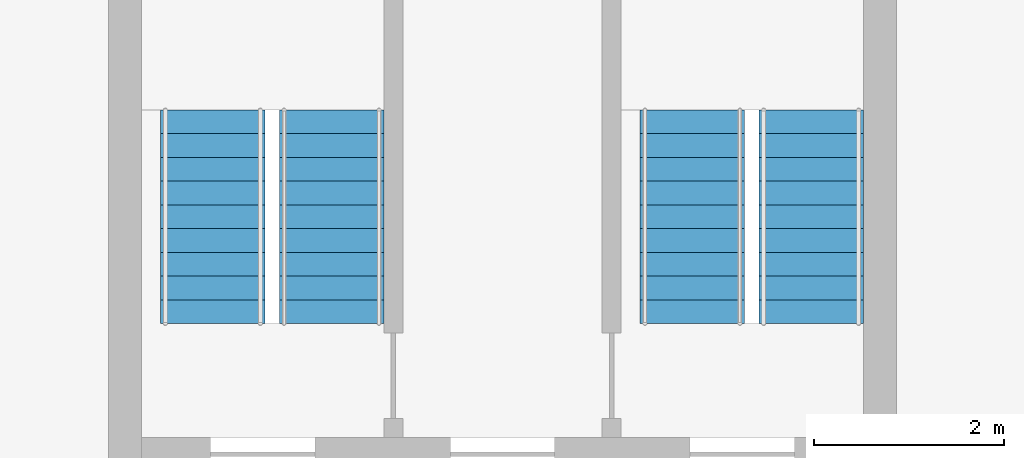
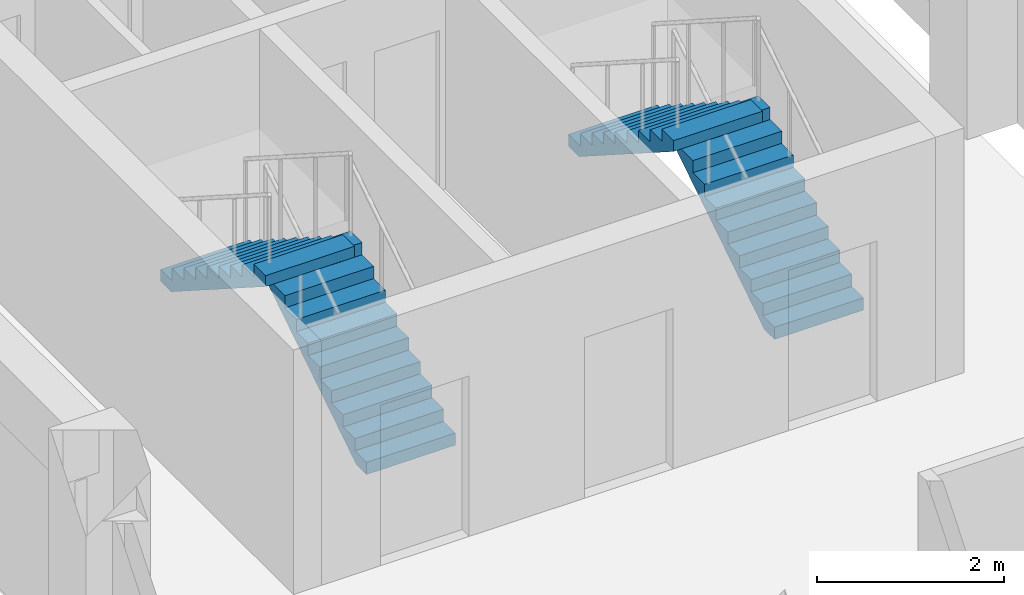
# One storey, part 8 of 10: 4 stair flights, 2 elements without a shape of their own.
"""IFC4 building model written with IfcOpenShell, lengths in metres."""

import ifcopenshell
import ifcopenshell.guid

model = None  # the IFC model being written
_history = None  # IfcOwnerHistory: only IFC2X3 demands one
_inside = {}  # id of a spatial element -> (the spatial element, [elements in it])
_under = {}  # id of a project, library or spatial element -> (it, [spatial elements below it])
_declared = {}  # id of a project -> (the project, [libraries it declares])
_typed = {}  # id of a type object -> (the type object, [elements of that type])
_made_of = {}  # id of a material, layer set ... -> (it, [elements and type objects made of it])


def new_model(schema):
    """Start an empty IFC model of exactly this schema.

    Asked for "IFC4X3", IfcOpenShell would pick the latest addendum, in which some entities
    have other attributes; the version numbers below select the first issue.
    IFC2X3 requires an IfcOwnerHistory on every rooted entity: one is made here for all.
    """
    global model, _history
    if schema == "IFC4X3":
        model = ifcopenshell.file(schema_version=(4, 3, 0, 0))
    else:
        model = ifcopenshell.file(schema=schema)
    _inside.clear()
    _under.clear()
    _declared.clear()
    _typed.clear()
    _made_of.clear()
    _history = None
    if model.schema == "IFC2X3":
        org = make("IfcOrganization", Name="unknown")
        user = make(
            "IfcPersonAndOrganization",
            ThePerson=make("IfcPerson", FamilyName="unknown"),
            TheOrganization=org,
        )
        app = make(
            "IfcApplication",
            ApplicationDeveloper=org,
            Version="unknown",
            ApplicationFullName="unknown",
            ApplicationIdentifier="unknown",
        )
        _history = make(
            "IfcOwnerHistory",
            OwningUser=user,
            OwningApplication=app,
            ChangeAction="ADDED",
            CreationDate=0,
        )
    return model


def make(cls, **values):
    """One entity of the class cls with the attributes given. An attribute that is None is left unset."""
    return model.create_entity(
        cls, **{name: value for name, value in values.items() if value is not None}
    )


def rooted(cls, **values):
    """An entity with a GlobalId (a new one), such as an element, a storey or a relation."""
    return make(cls, GlobalId=ifcopenshell.guid.new(), OwnerHistory=_history, **values)


def si_unit(unit_type, name, prefix=None):
    """IfcSIUnit, for example si_unit("LENGTHUNIT", "METRE", prefix="MILLI")."""
    return make("IfcSIUnit", UnitType=unit_type, Prefix=prefix, Name=name)


def assignment(units):
    """IfcUnitAssignment: the units of a project."""
    return None if units is None else make("IfcUnitAssignment", Units=units)


def point(xyz):
    """IfcCartesianPoint."""
    return None if xyz is None else make("IfcCartesianPoint", Coordinates=xyz)


def direction(xyz):
    """IfcDirection."""
    return None if xyz is None else make("IfcDirection", DirectionRatios=xyz)


def frame(location, z_axis=None, x_axis=None):
    """IfcAxis2Placement3D, a coordinate frame: its origin and axes. An axis left out is left unset."""
    return make(
        "IfcAxis2Placement3D",
        Location=point(location),
        Axis=direction(z_axis),
        RefDirection=direction(x_axis),
    )


def origin():
    """The frame at (0, 0, 0) with its axes left unset."""
    return frame((0.0, 0.0, 0.0))


def place(relative_to, where):
    """IfcLocalPlacement: puts the frame where relative to a parent placement (None: the world)."""
    return make(
        "IfcLocalPlacement", PlacementRelTo=relative_to, RelativePlacement=where
    )


def context(
    kind, dimensions, precision=None, world=None, true_north=None, identifier=None
):
    """IfcGeometricRepresentationContext, for example the 3D "Model" context."""
    return make(
        "IfcGeometricRepresentationContext",
        ContextIdentifier=identifier,
        ContextType=kind,
        CoordinateSpaceDimension=dimensions,
        Precision=precision,
        WorldCoordinateSystem=world,
        TrueNorth=true_north,
    )


def subcontext(parent, identifier, kind, view, scale=None):
    """IfcGeometricRepresentationSubContext, for example "Body" below "Model"."""
    return make(
        "IfcGeometricRepresentationSubContext",
        ContextIdentifier=identifier,
        ContextType=kind,
        ParentContext=parent,
        TargetScale=scale,
        TargetView=view,
    )


def project(units=None, contexts=None):
    """IfcProject with its units and contexts."""
    return rooted(
        "IfcProject",
        Name="project",
        RepresentationContexts=contexts,
        UnitsInContext=assignment(units),
    )


def spatial(cls, under=None, at=None, **own):
    """A site, building, storey or space (cls), placed at a placement, below another one or the project."""
    s = rooted(cls, ObjectPlacement=at, **own)
    if under is not None:
        _under.setdefault(under.id(), (under, []))[1].append(s)
    return s


def polyline(points):
    """IfcPolyline through the points."""
    return make("IfcPolyline", Points=[point(p) for p in points])


def outline(outer, holes=None, kind="AREA"):
    """IfcArbitraryClosedProfileDef: a profile drawn as a closed curve; with holes, ...WithVoids."""
    if holes is None:
        return make("IfcArbitraryClosedProfileDef", ProfileType=kind, OuterCurve=outer)
    return make(
        "IfcArbitraryProfileDefWithVoids",
        ProfileType=kind,
        OuterCurve=outer,
        InnerCurves=holes,
    )


def extrude(swept, where, along, depth):
    """IfcExtrudedAreaSolid: the profile swept, set in the frame where, extruded along a direction by depth."""
    return make(
        "IfcExtrudedAreaSolid",
        SweptArea=swept,
        Position=where,
        ExtrudedDirection=direction(along),
        Depth=depth,
    )


def shape(context_of_items, identifier, shape_type, items):
    """IfcShapeRepresentation: the items that make up one representation, for example the "Body"."""
    return make(
        "IfcShapeRepresentation",
        ContextOfItems=context_of_items,
        RepresentationIdentifier=identifier,
        RepresentationType=shape_type,
        Items=items,
    )


def material(Name=None, Category=None):
    """IfcMaterial."""
    return make("IfcMaterial", Name=Name, Category=Category)


def made_of(thing, what):
    """Note that an element or type object is made of a material, layer set ...; save() writes the relation."""
    if what is not None:
        _made_of.setdefault(what.id(), (what, []))[1].append(thing)
    return thing


def type_object(cls, material=None, **own):
    """A type object (cls), such as IfcWallType, which elements share."""
    return made_of(rooted(cls, **own), material)


def element(
    cls,
    number,
    at=None,
    inside=None,
    cuts=None,
    type_object=None,
    material=None,
    context=None,
    identifier="Body",
    shape_type=None,
    held_by="IfcProductDefinitionShape",
    body=None,
    shapes=None,
    **own,
):
    """One element of the class cls, such as IfcWall. Its Tag is "e" and its number.

    at: its placement. inside: the storey or other place that contains it. cuts: it is an
    opening in that element (IfcRelVoidsElement). A single representation is given by context,
    identifier, shape_type and body (its items); several are given by shapes. held_by: the class
    of the entity that holds the representations. save() writes the other relations.
    """
    e = rooted(cls, Tag="e%d" % number, ObjectPlacement=at, **own)
    if body is not None:
        shapes = [shape(context, identifier, shape_type, body)]
    if shapes is not None:
        e.Representation = make(held_by, Representations=shapes)
    if inside is not None:
        _inside.setdefault(inside.id(), (inside, []))[1].append(e)
    if cuts is not None:
        rooted(
            "IfcRelVoidsElement", RelatingBuildingElement=cuts, RelatedOpeningElement=e
        )
    if type_object is not None:
        _typed.setdefault(type_object.id(), (type_object, []))[1].append(e)
    return made_of(e, material)


def aggregate(whole, parts):
    """IfcRelAggregates: a whole, such as a stair, and the parts it consists of."""
    return rooted("IfcRelAggregates", RelatingObject=whole, RelatedObjects=parts)


def save(model, path):
    """Write the relations noted so far, then the file.

    IfcRelAggregates (storeys below a building ...), IfcRelContainedInSpatialStructure (elements
    in a storey), IfcRelDefinesByType, IfcRelAssociatesMaterial and IfcRelDeclares: one each for
    every whole, place, type object, material and project.
    """
    for whole, parts in _under.values():
        aggregate(whole, parts)
    for where, things in _inside.values():
        rooted(
            "IfcRelContainedInSpatialStructure",
            RelatedElements=things,
            RelatingStructure=where,
        )
    for kind, things in _typed.values():
        rooted("IfcRelDefinesByType", RelatedObjects=things, RelatingType=kind)
    for what, things in _made_of.values():
        rooted("IfcRelAssociatesMaterial", RelatedObjects=things, RelatingMaterial=what)
    for by, libraries in _declared.values():
        rooted("IfcRelDeclares", RelatingContext=by, RelatedDefinitions=libraries)
    model.write(path)


model = new_model("IFC4")

# Units and contexts
model_context = context("Model", 3, precision=1e-05, world=origin(), true_north=direction((0.0, 1.0)))
body_context = subcontext(model_context, "Body", "Model", "MODEL_VIEW")
ifc_project = project(units=[si_unit("LENGTHUNIT", "METRE"), si_unit("AREAUNIT", "SQUARE_METRE"), si_unit("VOLUMEUNIT", "CUBIC_METRE"), si_unit("PLANEANGLEUNIT", "RADIAN"), si_unit("MASSUNIT", "GRAM", prefix="KILO")], contexts=[model_context])

# Site, building, storey
site_placement = place(None, origin())
site = spatial("IfcSite", under=ifc_project, at=site_placement, CompositionType="ELEMENT")
building_placement = place(site_placement, origin())
building = spatial("IfcBuilding", under=site, at=building_placement, Name="Girih Gate Residences", CompositionType="ELEMENT")
storey_placement = place(building_placement, frame((0.0, 0.0, 210.094970703125)))
storey = spatial("IfcBuildingStorey", under=building, at=storey_placement, Name="L58", CompositionType="ELEMENT", Elevation=210.094970703125)

# Stair, stair flights
ifc_material = material(Name="Concrete C40/50", Category="concrete")
stair_type = type_object("IfcStairType", Name="Exit stair C core", PredefinedType="HALF_TURN_STAIR", material=ifc_material)
stair_1_placement = place(storey_placement, origin())
stair_1 = element("IfcStair", 1, at=stair_1_placement, inside=storey, type_object=stair_type, Name="L58 Exit Stair ST-C1", PredefinedType="HALF_TURN_STAIR")
stair_flight_type = type_object("IfcStairFlightType", Name="Stair flight 1100", PredefinedType="STRAIGHT", material=ifc_material)
stair_flight_1_placement = place(storey_placement, frame((22.949951171875, 28.89990234375, 0.0), z_axis=(0.0, 0.0, 1.0), x_axis=(0.0, 1.0, 0.0)))
stair_flight_1 = element("IfcStairFlight", 2, at=stair_flight_1_placement, type_object=stair_flight_type, Name="ST-C1 flight 1", NumberOfRisers=10, NumberOfTreads=9, PredefinedType="STRAIGHT", RiserHeight=0.16, TreadLength=0.25, context=body_context, shape_type="SweptSolid", body=[
    extrude(outline(polyline([(0.0, 0.0), (0.0, 0.159912109375), (0.25, 0.159912109375), (0.25, 0.320068359375), (0.5, 0.320068359375), (0.5, 0.47998046875), (0.75, 0.47998046875), (0.75, 0.639892578125), (1.0, 0.639892578125), (1.0, 0.800048828125), (1.25, 0.800048828125), (1.25, 0.9599609375), (1.5, 0.9599609375), (1.5, 1.1201171875), (1.75, 1.1201171875), (1.75, 1.280029296875), (2.0, 1.280029296875), (2.0, 1.43994140625), (2.25, 1.43994140625), (2.25, 1.60009765625), (2.25, 1.29736328125), (0.222900390625, 0.0), (0.0, 0.0)])), frame((0.0, 0.550048828125, 0.0), z_axis=(0.0, -1.0, 0.0), x_axis=(1.0, 0.0, 0.0)), (0.0, 0.0, 1.0), 1.10009765625),
])
stair_flight_2_placement = place(storey_placement, frame((21.699951171875, 31.14990234375, 1.60009765625), z_axis=(0.0, 0.0, 1.0), x_axis=(0.0, -1.0, 0.0)))
stair_flight_2 = element("IfcStairFlight", 3, at=stair_flight_2_placement, type_object=stair_flight_type, Name="ST-C1 flight 2", NumberOfRisers=10, NumberOfTreads=9, PredefinedType="STRAIGHT", RiserHeight=0.16, TreadLength=0.25, context=body_context, shape_type="SweptSolid", body=[
    extrude(outline(polyline([(0.0, 0.0), (0.0, 0.159912109375), (0.25, 0.159912109375), (0.25, 0.320068359375), (0.5, 0.320068359375), (0.5, 0.47998046875), (0.75, 0.47998046875), (0.75, 0.639892578125), (1.0, 0.639892578125), (1.0, 0.800048828125), (1.25, 0.800048828125), (1.25, 0.9599609375), (1.5, 0.9599609375), (1.5, 1.1201171875), (1.75, 1.1201171875), (1.75, 1.280029296875), (2.0, 1.280029296875), (2.0, 1.43994140625), (2.25, 1.43994140625), (2.25, 1.60009765625), (2.25, 1.29736328125), (0.222900390625, 0.0), (0.0, 0.0)])), frame((0.0, 0.550048828125, 0.0), z_axis=(0.0, -1.0, 0.0), x_axis=(1.0, 0.0, 0.0)), (0.0, 0.0, 1.0), 1.10009765625),
])
aggregate(stair_1, [stair_flight_1, stair_flight_2])

stair_2_placement = place(storey_placement, origin())
stair_2 = element("IfcStair", 4, at=stair_2_placement, inside=storey, type_object=stair_type, Name="L58 Exit Stair ST-C2", PredefinedType="HALF_TURN_STAIR")
stair_flight_3_placement = place(storey_placement, frame((28.0, 28.89990234375, 0.0), z_axis=(0.0, 0.0, 1.0), x_axis=(0.0, 1.0, 0.0)))
stair_flight_3 = element("IfcStairFlight", 5, at=stair_flight_3_placement, type_object=stair_flight_type, Name="ST-C2 flight 1", NumberOfRisers=10, NumberOfTreads=9, PredefinedType="STRAIGHT", RiserHeight=0.16, TreadLength=0.25, context=body_context, shape_type="SweptSolid", body=[
    extrude(outline(polyline([(0.0, 0.0), (0.0, 0.159912109375), (0.25, 0.159912109375), (0.25, 0.320068359375), (0.5, 0.320068359375), (0.5, 0.47998046875), (0.75, 0.47998046875), (0.75, 0.639892578125), (1.0, 0.639892578125), (1.0, 0.800048828125), (1.25, 0.800048828125), (1.25, 0.9599609375), (1.5, 0.9599609375), (1.5, 1.1201171875), (1.75, 1.1201171875), (1.75, 1.280029296875), (2.0, 1.280029296875), (2.0, 1.43994140625), (2.25, 1.43994140625), (2.25, 1.60009765625), (2.25, 1.29736328125), (0.222900390625, 0.0), (0.0, 0.0)])), frame((0.0, 0.550048828125, 0.0), z_axis=(0.0, -1.0, 0.0), x_axis=(1.0, 0.0, 0.0)), (0.0, 0.0, 1.0), 1.10009765625),
])
stair_flight_4_placement = place(storey_placement, frame((26.75, 31.14990234375, 1.60009765625), z_axis=(0.0, 0.0, 1.0), x_axis=(0.0, -1.0, 0.0)))
stair_flight_4 = element("IfcStairFlight", 6, at=stair_flight_4_placement, type_object=stair_flight_type, Name="ST-C2 flight 2", NumberOfRisers=10, NumberOfTreads=9, PredefinedType="STRAIGHT", RiserHeight=0.16, TreadLength=0.25, context=body_context, shape_type="SweptSolid", body=[
    extrude(outline(polyline([(0.0, 0.0), (0.0, 0.159912109375), (0.25, 0.159912109375), (0.25, 0.320068359375), (0.5, 0.320068359375), (0.5, 0.47998046875), (0.75, 0.47998046875), (0.75, 0.639892578125), (1.0, 0.639892578125), (1.0, 0.800048828125), (1.25, 0.800048828125), (1.25, 0.9599609375), (1.5, 0.9599609375), (1.5, 1.1201171875), (1.75, 1.1201171875), (1.75, 1.280029296875), (2.0, 1.280029296875), (2.0, 1.43994140625), (2.25, 1.43994140625), (2.25, 1.60009765625), (2.25, 1.29736328125), (0.222900390625, 0.0), (0.0, 0.0)])), frame((0.0, 0.550048828125, 0.0), z_axis=(0.0, -1.0, 0.0), x_axis=(1.0, 0.0, 0.0)), (0.0, 0.0, 1.0), 1.10009765625),
])
aggregate(stair_2, [stair_flight_3, stair_flight_4])

save(model, "model.ifc")
